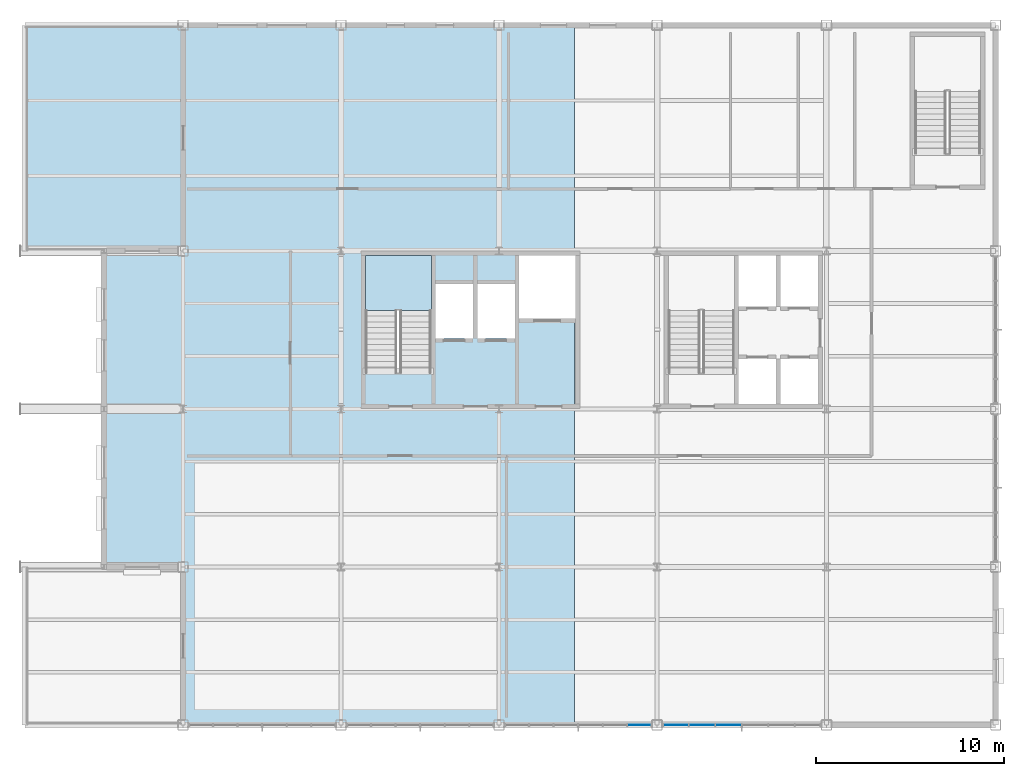
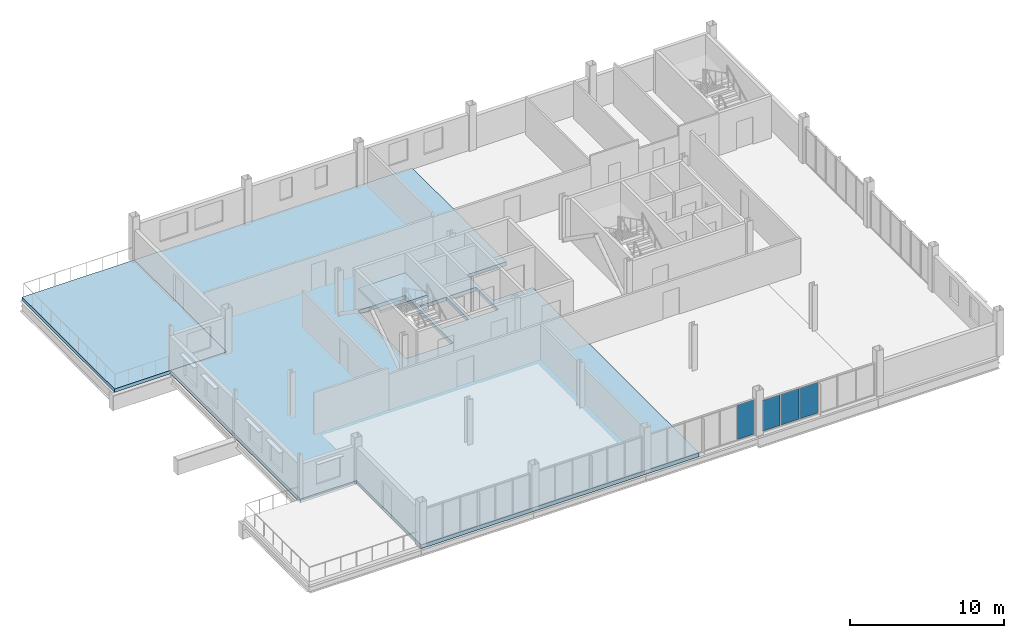
# One storey, part 11 of 18: 4 plates, 3 slabs, 3 elements without a shape of their own.
"""IFC4 building model written with IfcOpenShell, lengths in metres."""

from ifc_helpers import new_model, si_unit, direction, frame, origin, origin_2d, place, context, subcontext, project, spatial, polyline, rectangle, outline, extrude, material, layer, layer_set, type_object, element, aggregate, save


model = new_model("IFC4")

# Units and contexts
model_context = context("Model", 3, precision=1e-05, world=origin(), true_north=direction((0.0, 1.0)))
body_context = subcontext(model_context, "Body", "Model", "MODEL_VIEW")
ifc_project = project(units=[si_unit("LENGTHUNIT", "METRE"), si_unit("AREAUNIT", "SQUARE_METRE"), si_unit("VOLUMEUNIT", "CUBIC_METRE"), si_unit("PLANEANGLEUNIT", "RADIAN"), si_unit("MASSUNIT", "GRAM", prefix="KILO")], contexts=[model_context])

# Site, building, storey
site_placement = place(None, origin())
site = spatial("IfcSite", under=ifc_project, at=site_placement, CompositionType="ELEMENT")
building_placement = place(site_placement, origin())
building = spatial("IfcBuilding", under=site, at=building_placement, Name="Yukiwa Park Conservatory and Herbarium", CompositionType="ELEMENT")
storey_placement = place(building_placement, frame((0.0, 0.0, 21.0)))
storey = spatial("IfcBuildingStorey", under=building, at=storey_placement, Name="L05", CompositionType="ELEMENT", Elevation=21.0)

# Curtain wall, plate
ifc_material_1 = material(Name="Triple Low-E Insulated Glass", Category="glass")
ifc_layer_1 = layer(ifc_material_1, 0.248046875)
ifc_layer_set_1 = layer_set([ifc_layer_1], Name="Triple Low-E Insulated Glass")
curtain_wall_type = type_object("IfcCurtainWallType", Name="CW-TOWER-LAB-S-1400", PredefinedType="NOTDEFINED", material=ifc_layer_set_1)
curtain_wall_1_placement = place(storey_placement, origin())
curtain_wall_1 = element("IfcCurtainWall", 1, at=curtain_wall_1_placement, inside=storey, type_object=curtain_wall_type, Name="L05 unitised curtain wall CW-L05-078", PredefinedType="NOTDEFINED")
ifc_material_2 = material(Name="Triple Low-E Insulated Glass", Category="glass")
ifc_layer_2 = layer(ifc_material_2, 0.035888671875)
ifc_layer_set_2 = layer_set([ifc_layer_2], Name="Triple Low-E Insulated Glass")
plate_type = type_object("IfcPlateType", Name="PL-CW-GLZ-36", PredefinedType="CURTAIN_PANEL", material=ifc_layer_set_2)
plate_1_placement = place(storey_placement, frame((149.07080078125, 78.0, 0.070068359375), z_axis=(0.0, 0.0, 1.0), x_axis=(1.0, 0.0, 0.0)))
plate_1 = element("IfcPlate", 2, at=plate_1_placement, type_object=plate_type, Name="CW-L05-078 vision panel 6.1", PredefinedType="CURTAIN_PANEL", context=body_context, shape_type="SweptSolid", body=[
    extrude(rectangle(XDim=1.23828125, YDim=0.035888671875, at=origin_2d()), origin(), (0.0, 0.0, 1.0), 2.7099609375),
])
aggregate(curtain_wall_1, [plate_1])

# Curtain wall, plates
curtain_wall_2_placement = place(storey_placement, origin())
curtain_wall_2 = element("IfcCurtainWall", 3, at=curtain_wall_2_placement, inside=storey, type_object=curtain_wall_type, Name="L05 unitised curtain wall CW-L05-079", PredefinedType="NOTDEFINED")
plate_2_placement = place(storey_placement, frame((150.979248046875, 78.0, 0.070068359375), z_axis=(0.0, 0.0, 1.0), x_axis=(1.0, 0.0, 0.0)))
plate_2 = element("IfcPlate", 4, at=plate_2_placement, type_object=plate_type, Name="CW-L05-079 vision panel 1.1", PredefinedType="CURTAIN_PANEL", context=body_context, shape_type="SweptSolid", body=[
    extrude(rectangle(XDim=1.33837890625, YDim=0.035888671875, at=origin_2d()), origin(), (0.0, 0.0, 1.0), 2.41796875),
])
plate_3_placement = place(storey_placement, frame((152.387451171875, 78.0, 0.070068359375), z_axis=(0.0, 0.0, 1.0), x_axis=(1.0, 0.0, 0.0)))
plate_3 = element("IfcPlate", 5, at=plate_3_placement, type_object=plate_type, Name="CW-L05-079 vision panel 2.1", PredefinedType="CURTAIN_PANEL", context=body_context, shape_type="SweptSolid", body=[
    extrude(rectangle(XDim=1.33837890625, YDim=0.035888671875, at=origin_2d()), origin(), (0.0, 0.0, 1.0), 2.41796875),
])
plate_4_placement = place(storey_placement, frame((153.7958984375, 78.0, 0.070068359375), z_axis=(0.0, 0.0, 1.0), x_axis=(1.0, 0.0, 0.0)))
plate_4 = element("IfcPlate", 6, at=plate_4_placement, type_object=plate_type, Name="CW-L05-079 vision panel 3.1", PredefinedType="CURTAIN_PANEL", context=body_context, shape_type="SweptSolid", body=[
    extrude(rectangle(XDim=1.33837890625, YDim=0.035888671875, at=origin_2d()), origin(), (0.0, 0.0, 1.0), 2.41796875),
])
aggregate(curtain_wall_2, [plate_2, plate_3, plate_4])

# Slab
ifc_material_3 = material(Name="Concrete C40", Category="concrete")
ifc_layer_3 = layer(ifc_material_3, 0.300048828125)
ifc_layer_set_3 = layer_set([ifc_layer_3], Name="Concrete C40")
slab_type_1 = type_object("IfcSlabType", Name="SL-FLR-300", PredefinedType="FLOOR", material=ifc_layer_set_3)
slab_1_placement = place(storey_placement, frame((0.0, 0.0, -0.300048828125)))
element("IfcSlab", 7, at=slab_1_placement, inside=storey, type_object=slab_type_1, Name="L05 composite structural floor slab V5W", PredefinedType="FLOOR", context=body_context, shape_type="SweptSolid", body=[
    extrude(outline(polyline([(124.800048828125, 86.39990234375), (120.60009765625, 86.39990234375), (120.60009765625, 103.199951171875), (124.800048828125, 103.199951171875), (124.800048828125, 115.199951171875), (145.60009765625, 115.199951171875), (145.60009765625, 102.949951171875), (142.659912109375, 102.949951171875), (142.659912109375, 99.60009765625), (145.60009765625, 99.60009765625), (145.60009765625, 78.0), (124.800048828125, 78.0), (124.800048828125, 86.39990234375)]), holes=[polyline([(134.489990234375, 102.949951171875), (134.489990234375, 96.72998046875), (138.0, 96.72998046875), (138.0, 102.949951171875), (134.489990234375, 102.949951171875)]), polyline([(140.219970703125, 101.43994140625), (138.219970703125, 101.43994140625), (138.219970703125, 98.5400390625), (140.219970703125, 98.5400390625), (140.219970703125, 101.43994140625)]), polyline([(140.43994140625, 101.43994140625), (140.43994140625, 98.5400390625), (142.43994140625, 98.5400390625), (142.43994140625, 101.43994140625), (140.43994140625, 101.43994140625)])]), origin(), (0.0, 0.0, 1.0), 0.300048828125),
])

# Stair, slab
ifc_material_4 = material(Name="Concrete C40", Category="concrete")
stair_type = type_object("IfcStairType", Name="ST-DOGLEG-ST-T1", PredefinedType="HALF_TURN_STAIR", material=ifc_material_4)
stair_placement = place(storey_placement, origin())
stair = element("IfcStair", 8, at=stair_placement, inside=storey, type_object=stair_type, Name="L05 Protected Smoke-Proof Stair ST-T1", PredefinedType="HALF_TURN_STAIR")
ifc_material_5 = material(Name="Concrete C40", Category="concrete")
ifc_layer_4 = layer(ifc_material_5, 0.199951171875)
ifc_layer_set_4 = layer_set([ifc_layer_4], Name="Concrete C40")
slab_type_2 = type_object("IfcSlabType", Name="SL-LANDING-220", PredefinedType="LANDING", material=ifc_layer_set_4)
slab_2_placement = place(storey_placement, frame((0.0, 0.0, 1.60009765625)))
slab_2 = element("IfcSlab", 9, at=slab_2_placement, type_object=slab_type_2, Name="ST-T1 landing 1", PredefinedType="LANDING", context=body_context, shape_type="SweptSolid", body=[
    extrude(outline(polyline([(138.0, 100.030029296875), (138.0, 102.949951171875), (134.489990234375, 102.949951171875), (134.489990234375, 100.030029296875), (138.0, 100.030029296875)])), origin(), (0.0, 0.0, 1.0), 0.199951171875),
])
aggregate(stair, [slab_2])

# Slab
ifc_material_6 = material(Name="Concrete C40", Category="concrete")
ifc_layer_5 = layer(ifc_material_6, 0.264892578125)
ifc_layer_set_5 = layer_set([ifc_layer_5], Name="Concrete C40")
slab_type_3 = type_object("IfcSlabType", Name="SL-TER-265", PredefinedType="ROOF", material=ifc_layer_set_5)
slab_3_placement = place(storey_placement, frame((0.0, 0.0, -0.264892578125)))
element("IfcSlab", 10, at=slab_3_placement, inside=storey, type_object=slab_type_3, Name="L05 Sky Terrace North West slab", PredefinedType="ROOF", context=body_context, shape_type="SweptSolid", body=[
    extrude(outline(polyline([(116.39990234375, 103.199951171875), (116.39990234375, 115.199951171875), (124.800048828125, 115.199951171875), (124.800048828125, 103.199951171875), (116.39990234375, 103.199951171875)])), origin(), (0.0, 0.0, 1.0), 0.264892578125),
])

save(model, "model.ifc")
